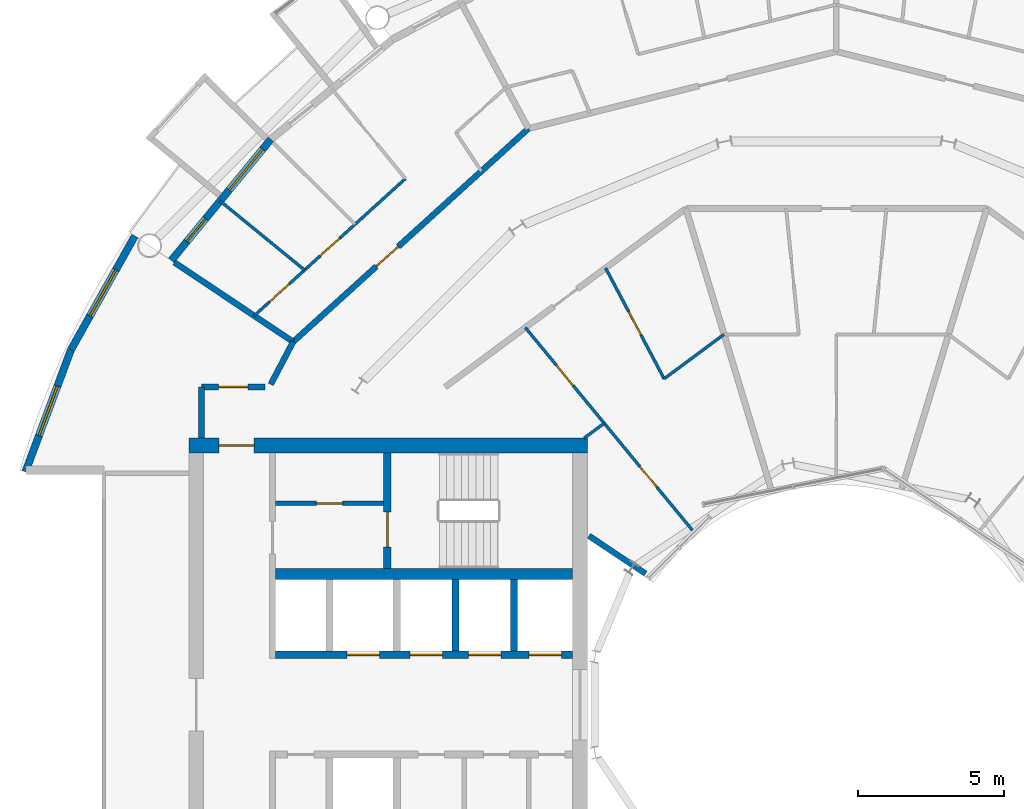
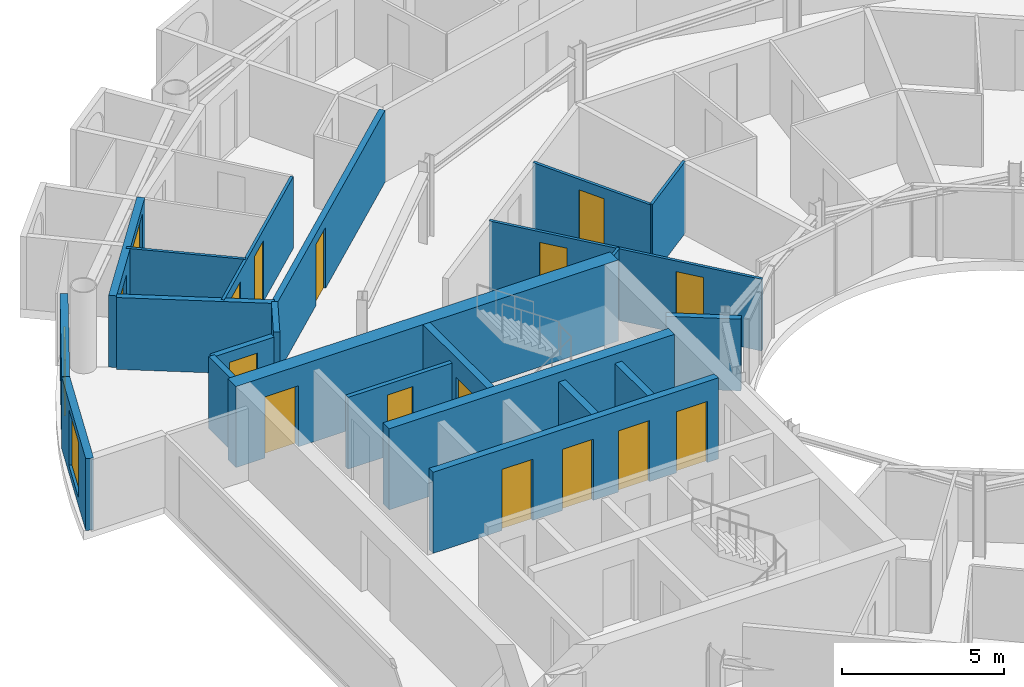
# One storey, part 19 of 27: 22 walls, 15 doors, 3 windows, 18 openings.
"""IFC4 building model written with IfcOpenShell, lengths in metres."""

from ifc_helpers import new_model, si_unit, direction, frame, frame_2d, origin, place, context, subcontext, project, spatial, rectangle, extrude, material, layer, layer_set, type_object, element, fill, save


model = new_model("IFC4")

# Units and contexts
model_context = context("Model", 3, precision=1e-05, world=origin(), true_north=direction((0.0, 1.0)))
body_context = subcontext(model_context, "Body", "Model", "MODEL_VIEW")
ifc_project = project(units=[si_unit("LENGTHUNIT", "METRE"), si_unit("AREAUNIT", "SQUARE_METRE"), si_unit("VOLUMEUNIT", "CUBIC_METRE"), si_unit("PLANEANGLEUNIT", "RADIAN"), si_unit("MASSUNIT", "GRAM", prefix="KILO")], contexts=[model_context])

# Site, building, storey
site_placement = place(None, origin())
site = spatial("IfcSite", under=ifc_project, at=site_placement, CompositionType="ELEMENT")
building_placement = place(site_placement, origin())
building = spatial("IfcBuilding", under=site, at=building_placement, Name="Maasbend Ring Residences", CompositionType="ELEMENT")
storey_placement = place(building_placement, frame((0.0, 0.0, 151.300048828125)))
storey = spatial("IfcBuildingStorey", under=building, at=storey_placement, Name="L43", CompositionType="ELEMENT", Elevation=151.300048828125)

# Wall, openings, doors
ifc_material_1 = material(Name="Concrete C60/75", Category="concrete")
ifc_layer_1 = layer(ifc_material_1, 0.25)
ifc_layer_set_1 = layer_set([ifc_layer_1], Name="Concrete C60/75")
wall_type_1 = type_object("IfcWallType", Name="CORE WALL 250 C60/75", PredefinedType="SHEAR", material=ifc_layer_set_1)
wall_1_placement = place(storey_placement, frame((-9.0, 1.699951171875, 0.0), z_axis=(0.0, 0.0, 1.0), x_axis=(-1.0, 0.0, 0.0)))
wall_1 = element("IfcWall", 1, at=wall_1_placement, inside=storey, type_object=wall_type_1, Name="L43 core W wall SPS", PredefinedType="SHEAR", context=body_context, shape_type="SweptSolid", body=[
    extrude(rectangle(XDim=10.14990234375, YDim=0.25, at=frame_2d((5.074951171875, 0.0))), origin(), (0.0, 0.0, 1.0), 3.050048828125),
])
opening_1_placement = place(wall_1_placement, frame((0.387451171875, 0.0, 0.0)))
opening_1 = element("IfcOpeningElement", 2, at=opening_1_placement, cuts=wall_1, Name="Opening LD-W4302", PredefinedType="OPENING", context=body_context, shape_type="SweptSolid", body=[
    extrude(rectangle(XDim=1.10009765625, YDim=2.300048828125, at=frame_2d((0.550048828125, 1.14990234375))), frame((0.0, 0.135009765625, 0.0), z_axis=(0.0, -1.0, 0.0), x_axis=(1.0, 0.0, 0.0)), (0.0, 0.0, 1.0), 0.27001953125),
])
opening_2_placement = place(wall_1_placement, frame((2.449951171875, 0.0, 0.0)))
opening_2 = element("IfcOpeningElement", 3, at=opening_2_placement, cuts=wall_1, Name="Opening LD-W4303", PredefinedType="OPENING", context=body_context, shape_type="SweptSolid", body=[
    extrude(rectangle(XDim=1.10009765625, YDim=2.300048828125, at=frame_2d((0.550048828125, 1.14990234375))), frame((0.0, 0.135009765625, 0.0), z_axis=(0.0, -1.0, 0.0), x_axis=(1.0, 0.0, 0.0)), (0.0, 0.0, 1.0), 0.27001953125),
])
opening_3_placement = place(wall_1_placement, frame((4.449951171875, 0.0, 0.0)))
opening_3 = element("IfcOpeningElement", 4, at=opening_3_placement, cuts=wall_1, Name="Opening LD-W4304", PredefinedType="OPENING", context=body_context, shape_type="SweptSolid", body=[
    extrude(rectangle(XDim=1.10009765625, YDim=2.300048828125, at=frame_2d((0.550048828125, 1.14990234375))), frame((0.0, 0.135009765625, 0.0), z_axis=(0.0, -1.0, 0.0), x_axis=(1.0, 0.0, 0.0)), (0.0, 0.0, 1.0), 0.27001953125),
])
opening_4_placement = place(wall_1_placement, frame((6.60009765625, 0.0, 0.0)))
opening_4 = element("IfcOpeningElement", 5, at=opening_4_placement, cuts=wall_1, Name="Opening LD-W4305", PredefinedType="OPENING", context=body_context, shape_type="SweptSolid", body=[
    extrude(rectangle(XDim=1.10009765625, YDim=2.300048828125, at=frame_2d((0.550048828125, 1.14990234375))), frame((0.0, 0.135009765625, 0.0), z_axis=(0.0, -1.0, 0.0), x_axis=(1.0, 0.0, 0.0)), (0.0, 0.0, 1.0), 0.27001953125),
])
ifc_material_2 = material(Name="Stainless steel 316", Category="steel")
door_type_1 = type_object("IfcDoorType", Name="LANDING DOOR 1100 X 2300 FD60", OperationType="DOUBLE_DOOR_SLIDING", PredefinedType="DOOR", material=ifc_material_2)
door_1_placement = place(opening_1_placement, origin())
door_1 = element("IfcDoor", 6, at=door_1_placement, inside=storey, type_object=door_type_1, Name="Landing door HR-W1 L43", OperationType="DOUBLE_DOOR_SLIDING", OverallHeight=2.300048828125, OverallWidth=1.10009765625, PredefinedType="DOOR", context=body_context, shape_type="SweptSolid", body=[
    extrude(rectangle(XDim=1.10009765625, YDim=2.300048828125, at=frame_2d((0.550048828125, 1.14990234375))), frame((0.0, 0.02490234375, 0.0), z_axis=(0.0, -1.0, 0.0), x_axis=(1.0, 0.0, 0.0)), (0.0, 0.0, 1.0), 0.050048828125),
])
fill(opening_1, door_1)
door_2_placement = place(opening_2_placement, origin())
door_2 = element("IfcDoor", 7, at=door_2_placement, inside=storey, type_object=door_type_1, Name="Landing door HR-W2 L43", OperationType="DOUBLE_DOOR_SLIDING", OverallHeight=2.300048828125, OverallWidth=1.10009765625, PredefinedType="DOOR", context=body_context, shape_type="SweptSolid", body=[
    extrude(rectangle(XDim=1.10009765625, YDim=2.300048828125, at=frame_2d((0.550048828125, 1.14990234375))), frame((0.0, 0.02490234375, 0.0), z_axis=(0.0, -1.0, 0.0), x_axis=(1.0, 0.0, 0.0)), (0.0, 0.0, 1.0), 0.050048828125),
])
fill(opening_2, door_2)
door_3_placement = place(opening_3_placement, origin())
door_3 = element("IfcDoor", 8, at=door_3_placement, inside=storey, type_object=door_type_1, Name="Landing door HR-W3 L43", OperationType="DOUBLE_DOOR_SLIDING", OverallHeight=2.300048828125, OverallWidth=1.10009765625, PredefinedType="DOOR", context=body_context, shape_type="SweptSolid", body=[
    extrude(rectangle(XDim=1.10009765625, YDim=2.300048828125, at=frame_2d((0.550048828125, 1.14990234375))), frame((0.0, 0.02490234375, 0.0), z_axis=(0.0, -1.0, 0.0), x_axis=(1.0, 0.0, 0.0)), (0.0, 0.0, 1.0), 0.050048828125),
])
fill(opening_3, door_3)
door_4_placement = place(opening_4_placement, origin())
door_4 = element("IfcDoor", 9, at=door_4_placement, inside=storey, type_object=door_type_1, Name="Landing door SV-W L43", OperationType="DOUBLE_DOOR_SLIDING", OverallHeight=2.300048828125, OverallWidth=1.10009765625, PredefinedType="DOOR", context=body_context, shape_type="SweptSolid", body=[
    extrude(rectangle(XDim=1.10009765625, YDim=2.300048828125, at=frame_2d((0.550048828125, 1.14990234375))), frame((0.0, 0.02490234375, 0.0), z_axis=(0.0, -1.0, 0.0), x_axis=(1.0, 0.0, 0.0)), (0.0, 0.0, 1.0), 0.050048828125),
])
fill(opening_4, door_4)

# Wall, opening, door
wall_2_placement = place(storey_placement, frame((-15.324951171875, 8.60009765625, 0.0), z_axis=(0.0, 0.0, 1.0), x_axis=(0.0, -1.0, 0.0)))
wall_2 = element("IfcWall", 10, at=wall_2_placement, inside=storey, type_object=wall_type_1, Name="L43 core W wall STES", PredefinedType="SHEAR", context=body_context, shape_type="SweptSolid", body=[
    extrude(rectangle(XDim=3.9501953125, YDim=0.25, at=frame_2d((1.97509765625, 0.0))), origin(), (0.0, 0.0, 1.0), 3.050048828125),
])
opening_5_placement = place(wall_2_placement, frame((2.02490234375, 0.0, 0.0)))
opening_5 = element("IfcOpeningElement", 11, at=opening_5_placement, cuts=wall_2, Name="Opening D-W4312", PredefinedType="OPENING", context=body_context, shape_type="SweptSolid", body=[
    extrude(rectangle(XDim=1.199951171875, YDim=2.300048828125, at=frame_2d((0.60009765625, 1.14990234375))), frame((0.0, 0.135009765625, 0.0), z_axis=(0.0, -1.0, 0.0), x_axis=(1.0, 0.0, 0.0)), (0.0, 0.0, 1.0), 0.27001953125),
])
ifc_material_3 = material(Name="Steel, powder coated", Category="steel")
door_type_2 = type_object("IfcDoorType", Name="STAIR DOOR 1200 X 2300 FD60", OperationType="NOTDEFINED", PredefinedType="DOOR", material=ifc_material_3)
door_5_placement = place(opening_5_placement, origin())
door_5 = element("IfcDoor", 12, at=door_5_placement, inside=storey, type_object=door_type_2, Name="Stair door ST-W L43", OperationType="SINGLE_SWING_LEFT", OverallHeight=2.300048828125, OverallWidth=1.199951171875, PredefinedType="DOOR", context=body_context, shape_type="SweptSolid", body=[
    extrude(rectangle(XDim=1.199951171875, YDim=2.300048828125, at=frame_2d((0.60009765625, 1.14990234375))), frame((0.0, 0.02490234375, 0.0), z_axis=(0.0, -1.0, 0.0), x_axis=(1.0, 0.0, 0.0)), (0.0, 0.0, 1.0), 0.050048828125),
])
fill(opening_5, door_5)

# Wall
ifc_material_4 = material(Name="Concrete C60/75", Category="concrete")
ifc_layer_2 = layer(ifc_material_4, 0.375)
ifc_layer_set_2 = layer_set([ifc_layer_2], Name="Concrete C60/75")
wall_type_2 = type_object("IfcWallType", Name="CORE WALL 375 C60/75", PredefinedType="SHEAR", material=ifc_layer_set_2)
wall_3_placement = place(storey_placement, frame((-9.0, 4.46240234375, 0.0), z_axis=(0.0, 0.0, 1.0), x_axis=(-1.0, 0.0, 0.0)))
element("IfcWall", 13, at=wall_3_placement, inside=storey, type_object=wall_type_2, Name="L43 core W wall BS", PredefinedType="SHEAR", context=body_context, shape_type="SweptSolid", body=[
    extrude(rectangle(XDim=10.14990234375, YDim=0.375, at=frame_2d((5.074951171875, 0.0))), origin(), (0.0, 0.0, 1.0), 3.050048828125),
])

# Wall, opening, door
ifc_material_5 = material(Name="Concrete C60/75", Category="concrete")
ifc_layer_3 = layer(ifc_material_5, 0.5)
ifc_layer_set_3 = layer_set([ifc_layer_3], Name="Concrete C60/75")
wall_type_3 = type_object("IfcWallType", Name="CORE WALL 500 C60/75", PredefinedType="SHEAR", material=ifc_layer_set_3)
wall_4_placement = place(storey_placement, frame((-8.5, 8.85009765625, 0.0), z_axis=(0.0, 0.0, 1.0), x_axis=(-1.0, 0.0, 0.0)))
wall_4 = element("IfcWall", 14, at=wall_4_placement, inside=storey, type_object=wall_type_3, Name="L43 core W wall PS", PredefinedType="SHEAR", context=body_context, shape_type="SweptSolid", body=[
    extrude(rectangle(XDim=13.60009765625, YDim=0.5, at=frame_2d((6.800048828125, 0.0))), origin(), (0.0, 0.0, 1.0), 3.050048828125),
])
opening_6_placement = place(wall_4_placement, frame((11.375, 0.0, 0.0)))
opening_6 = element("IfcOpeningElement", 15, at=opening_6_placement, cuts=wall_4, Name="Opening D-W4316", PredefinedType="OPENING", context=body_context, shape_type="SweptSolid", body=[
    extrude(rectangle(XDim=1.199951171875, YDim=2.300048828125, at=frame_2d((0.60009765625, 1.14990234375))), frame((0.0, 0.260009765625, 0.0), z_axis=(0.0, -1.0, 0.0), x_axis=(1.0, 0.0, 0.0)), (0.0, 0.0, 1.0), 0.52001953125),
])
ifc_material_6 = material(Name="Steel, powder coated", Category="steel")
door_type_3 = type_object("IfcDoorType", Name="CORRIDOR DOOR 1200 X 2300 FD30S", OperationType="NOTDEFINED", PredefinedType="DOOR", material=ifc_material_6)
door_6_placement = place(opening_6_placement, origin())
door_6 = element("IfcDoor", 16, at=door_6_placement, inside=storey, type_object=door_type_3, Name="Corridor door L43", OperationType="SINGLE_SWING_LEFT", OverallHeight=2.300048828125, OverallWidth=1.199951171875, PredefinedType="DOOR", context=body_context, shape_type="SweptSolid", body=[
    extrude(rectangle(XDim=1.199951171875, YDim=2.300048828125, at=frame_2d((0.60009765625, 1.14990234375))), frame((0.0, 0.02490234375, 0.0), z_axis=(0.0, -1.0, 0.0), x_axis=(1.0, 0.0, 0.0)), (0.0, 0.0, 1.0), 0.050048828125),
])
fill(opening_6, door_6)

ifc_material_7 = material(Name="Concrete C30/37", Category="concrete")
ifc_layer_4 = layer(ifc_material_7, 0.199951171875)
ifc_layer_set_4 = layer_set([ifc_layer_4], Name="Concrete C30/37")
wall_type_4 = type_object("IfcWallType", Name="CORRIDOR WALL 200 CONCRETE", PredefinedType="PARTITIONING", material=ifc_layer_set_4)
wall_5_placement = place(storey_placement, frame((-21.675048828125, 10.85009765625, 0.0), z_axis=(0.0, 0.0, 1.0), x_axis=(1.0, 0.0, 0.0)))
wall_5 = element("IfcWall", 17, at=wall_5_placement, inside=storey, type_object=wall_type_4, Name="U-L43-w091", PredefinedType="PARTITIONING", context=body_context, shape_type="SweptSolid", body=[
    extrude(rectangle(XDim=2.171142578125, YDim=0.199951171875, at=frame_2d((1.08544921875, 0.0))), origin(), (0.0, 0.0, 1.0), 2.699951171875),
])
opening_7_placement = place(wall_5_placement, frame((0.5849609375, 0.0, 0.0)))
opening_7 = element("IfcOpeningElement", 18, at=opening_7_placement, cuts=wall_5, Name="Opening D-4365", PredefinedType="OPENING", context=body_context, shape_type="SweptSolid", body=[
    extrude(rectangle(XDim=1.0, YDim=2.300048828125, at=frame_2d((0.5, 1.14990234375))), frame((0.0, 0.10986328125, 0.0), z_axis=(0.0, -1.0, 0.0), x_axis=(1.0, 0.0, 0.0)), (0.0, 0.0, 1.0), 0.219970703125),
])
ifc_material_8 = material(Name="Timber, painted", Category="wood")
door_type_4 = type_object("IfcDoorType", Name="ROOM DOOR 1000 X 2300", OperationType="NOTDEFINED", PredefinedType="DOOR", material=ifc_material_8)
door_7_placement = place(opening_7_placement, origin())
door_7 = element("IfcDoor", 19, at=door_7_placement, inside=storey, type_object=door_type_4, Name="D-4365", OperationType="SINGLE_SWING_LEFT", OverallHeight=2.300048828125, OverallWidth=1.0, PredefinedType="DOOR", context=body_context, shape_type="SweptSolid", body=[
    extrude(rectangle(XDim=1.0, YDim=2.300048828125, at=frame_2d((0.5, 1.14990234375))), frame((0.0, 0.02490234375, 0.0), z_axis=(0.0, -1.0, 0.0), x_axis=(1.0, 0.0, 0.0)), (0.0, 0.0, 1.0), 0.050048828125),
])
fill(opening_7, door_7)

wall_6_placement = place(storey_placement, frame((-18.5439453125, 12.385009765625, 0.0), z_axis=(0.0, 0.0, 1.0), x_axis=(0.740849323054, 0.67167125927, 0.0)))
wall_6 = element("IfcWall", 20, at=wall_6_placement, inside=storey, type_object=wall_type_4, Name="U-L43-w102", PredefinedType="PARTITIONING", context=body_context, shape_type="SweptSolid", body=[
    extrude(rectangle(XDim=10.841552734375, YDim=0.199951171875, at=frame_2d((5.4208984375, 0.0))), origin(), (0.0, 0.0, 1.0), 2.699951171875),
])
opening_8_placement = place(wall_6_placement, frame((3.839111328125, 0.0, 0.0)))
opening_8 = element("IfcOpeningElement", 21, at=opening_8_placement, cuts=wall_6, Name="Opening D-4316", PredefinedType="OPENING", context=body_context, shape_type="SweptSolid", body=[
    extrude(rectangle(XDim=1.0, YDim=2.300048828125, at=frame_2d((0.5, 1.14990234375))), frame((0.0, 0.10986328125, 0.0), z_axis=(0.0, -1.0, 0.0), x_axis=(1.0, 0.0, 0.0)), (0.0, 0.0, 1.0), 0.219970703125),
])
ifc_material_9 = material(Name="Timber, fire-rated, painted", Category="wood")
door_type_5 = type_object("IfcDoorType", Name="FLAT ENTRANCE DOOR 1000 X 2300 FIRE-RATED", OperationType="NOTDEFINED", PredefinedType="DOOR", material=ifc_material_9)
door_8_placement = place(opening_8_placement, origin())
door_8 = element("IfcDoor", 22, at=door_8_placement, inside=storey, type_object=door_type_5, Name="D-4316", OperationType="SINGLE_SWING_LEFT", OverallHeight=2.300048828125, OverallWidth=1.0, PredefinedType="DOOR", context=body_context, shape_type="SweptSolid", body=[
    extrude(rectangle(XDim=1.0, YDim=2.300048828125, at=frame_2d((0.5, 1.14990234375))), frame((0.0, 0.02490234375, 0.0), z_axis=(0.0, -1.0, 0.0), x_axis=(1.0, 0.0, 0.0)), (0.0, 0.0, 1.0), 0.050048828125),
])
fill(opening_8, door_8)

# Walls
wall_7_placement = place(storey_placement, frame((-21.675048828125, 9.10009765625, 0.0), z_axis=(0.0, 0.0, 1.0), x_axis=(0.0, 1.0, 0.0)))
element("IfcWall", 23, at=wall_7_placement, inside=storey, type_object=wall_type_4, Name="U-L43-w107", PredefinedType="PARTITIONING", context=body_context, shape_type="SweptSolid", body=[
    extrude(rectangle(XDim=1.75, YDim=0.199951171875, at=frame_2d((0.875, 0.0))), origin(), (0.0, 0.0, 1.0), 2.699951171875),
])
wall_8_placement = place(storey_placement, frame((-19.306884765625, 10.93505859375, 0.0), z_axis=(0.0, 0.0, 1.0), x_axis=(0.465605550524, 0.884992356646, 0.0)))
element("IfcWall", 24, at=wall_8_placement, inside=storey, type_object=wall_type_4, Name="U-L43-w108", PredefinedType="PARTITIONING", context=body_context, shape_type="SweptSolid", body=[
    extrude(rectangle(XDim=1.642822265625, YDim=0.199951171875, at=frame_2d((0.8212890625, 0.0))), origin(), (0.0, 0.0, 1.0), 2.699951171875),
])

# Wall, openings, door, window
ifc_material_10 = material(Name="Aluminium clad insulated panel", Category="aluminium")
ifc_layer_5 = layer(ifc_material_10, 0.25)
ifc_layer_set_5 = layer_set([ifc_layer_5], Name="EW-GL")
wall_type_5 = type_object("IfcWallType", Name="EW-GL", PredefinedType="SOLIDWALL", material=ifc_layer_set_5)
wall_9_placement = place(storey_placement, frame((-19.303955078125, 19.303955078125, 0.0), z_axis=(0.0, 0.0, 1.0), x_axis=(-0.634382322723, -0.773019449054, 0.0)))
wall_9 = element("IfcWall", 25, at=wall_9_placement, inside=storey, type_object=wall_type_5, Name="External wall N10", PredefinedType="SOLIDWALL", context=body_context, shape_type="SweptSolid", body=[
    extrude(rectangle(XDim=5.351806640625, YDim=0.25, at=frame_2d((2.67578125, 0.0))), origin(), (0.0, 0.0, 1.0), 2.699951171875),
])
opening_9_placement = place(wall_9_placement, frame((0.441162109375, 0.0, 0.300048828125)))
opening_9 = element("IfcOpeningElement", 26, at=opening_9_placement, cuts=wall_9, Name="Opening W-BX", PredefinedType="OPENING", context=body_context, shape_type="SweptSolid", body=[
    extrude(rectangle(XDim=1.800048828125, YDim=2.10009765625, at=frame_2d((0.89990234375, 1.050048828125))), frame((0.0, 0.135009765625, 0.0), z_axis=(0.0, -1.0, 0.0), x_axis=(1.0, 0.0, 0.0)), (0.0, 0.0, 1.0), 0.27001953125),
])
opening_10_placement = place(wall_9_placement, frame((3.510498046875, 0.0, 0.0)))
opening_10 = element("IfcOpeningElement", 27, at=opening_10_placement, cuts=wall_9, Name="Opening D-LG", PredefinedType="OPENING", context=body_context, shape_type="SweptSolid", body=[
    extrude(rectangle(XDim=1.0, YDim=2.199951171875, at=frame_2d((0.5, 1.10009765625))), frame((0.0, 0.135009765625, 0.0), z_axis=(0.0, -1.0, 0.0), x_axis=(1.0, 0.0, 0.0)), (0.0, 0.0, 1.0), 0.27001953125),
])
ifc_material_11 = material(Name="Aluminium and clear glass", Category="aluminium")
door_type_6 = type_object("IfcDoorType", Name="D-LG", OperationType="SINGLE_SWING_LEFT", PredefinedType="DOOR", material=ifc_material_11)
door_9_placement = place(opening_10_placement, origin())
door_9 = element("IfcDoor", 28, at=door_9_placement, inside=storey, type_object=door_type_6, Name="Loggia door N20", OperationType="SINGLE_SWING_LEFT", OverallHeight=2.199951171875, OverallWidth=1.0, PredefinedType="DOOR", context=body_context, shape_type="SweptSolid", body=[
    extrude(rectangle(XDim=1.0, YDim=2.199951171875, at=frame_2d((0.5, 1.10009765625))), frame((0.0, 0.02490234375, 0.0), z_axis=(0.0, -1.0, 0.0), x_axis=(1.0, 0.0, 0.0)), (0.0, 0.0, 1.0), 0.050048828125),
])
fill(opening_10, door_9)
ifc_material_12 = material(Name="Aluminium and clear glass", Category="aluminium")
window_type = type_object("IfcWindowType", Name="W-BX", PartitioningType="DOUBLE_PANEL_VERTICAL", PredefinedType="WINDOW", material=ifc_material_12)
window_1_placement = place(opening_9_placement, origin())
window_1 = element("IfcWindow", 29, at=window_1_placement, inside=storey, type_object=window_type, Name="Window N19 room to box", OverallHeight=2.10009765625, OverallWidth=1.800048828125, PartitioningType="SINGLE_PANEL", PredefinedType="WINDOW", context=body_context, shape_type="SweptSolid", body=[
    extrude(rectangle(XDim=1.800048828125, YDim=2.10009765625, at=frame_2d((0.89990234375, 1.050048828125))), frame((0.0, 0.030029296875, 0.0), z_axis=(0.0, -1.0, 0.0), x_axis=(1.0, 0.0, 0.0)), (0.0, 0.0, 1.0), 0.06005859375),
])
fill(opening_9, window_1)

# Wall, opening, window
ifc_material_13 = material(Name="Aluminium clad insulated panel", Category="aluminium")
ifc_layer_6 = layer(ifc_material_13, 0.25)
ifc_layer_set_6 = layer_set([ifc_layer_6], Name="EW-HORN")
wall_type_6 = type_object("IfcWallType", Name="EW-HORN", PredefinedType="SOLIDWALL", material=ifc_layer_set_6)
wall_10_placement = place(storey_placement, frame((-23.946044921875, 16.0, 0.0), z_axis=(0.0, 0.0, 1.0), x_axis=(-0.489696356642, -0.871893042919, 0.0)))
wall_10 = element("IfcWall", 30, at=wall_10_placement, inside=storey, type_object=wall_type_6, Name="Horn wall 4.1", PredefinedType="SOLIDWALL", context=body_context, shape_type="SweptSolid", body=[
    extrude(rectangle(XDim=4.45361328125, YDim=0.25, at=frame_2d((2.226806640625, 0.0))), origin(), (0.0, 0.0, 1.0), 2.699951171875),
])
opening_11_placement = place(wall_10_placement, frame((1.32666015625, 0.0, 0.300048828125)))
opening_11 = element("IfcOpeningElement", 31, at=opening_11_placement, cuts=wall_10, Name="Opening W-BX", PredefinedType="OPENING", context=body_context, shape_type="SweptSolid", body=[
    extrude(rectangle(XDim=1.800048828125, YDim=2.10009765625, at=frame_2d((0.89990234375, 1.050048828125))), frame((0.0, 0.135009765625, 0.0), z_axis=(0.0, -1.0, 0.0), x_axis=(1.0, 0.0, 0.0)), (0.0, 0.0, 1.0), 0.27001953125),
])
window_2_placement = place(opening_11_placement, origin())
window_2 = element("IfcWindow", 32, at=window_2_placement, inside=storey, type_object=window_type, Name="Horn window 4.1", OverallHeight=2.10009765625, OverallWidth=1.800048828125, PartitioningType="SINGLE_PANEL", PredefinedType="WINDOW", context=body_context, shape_type="SweptSolid", body=[
    extrude(rectangle(XDim=1.800048828125, YDim=2.10009765625, at=frame_2d((0.89990234375, 1.050048828125))), frame((0.0, 0.030029296875, 0.0), z_axis=(0.0, -1.0, 0.0), x_axis=(1.0, 0.0, 0.0)), (0.0, 0.0, 1.0), 0.06005859375),
])
fill(opening_11, window_2)

wall_11_placement = place(storey_placement, frame((-26.126953125, 12.116943359375, 0.0), z_axis=(0.0, 0.0, 1.0), x_axis=(-0.349247811493, -0.937030397675, 0.0)))
wall_11 = element("IfcWall", 33, at=wall_11_placement, inside=storey, type_object=wall_type_6, Name="Horn wall 4.2", PredefinedType="SOLIDWALL", context=body_context, shape_type="SweptSolid", body=[
    extrude(rectangle(XDim=4.4521484375, YDim=0.25, at=frame_2d((2.22607421875, 0.0))), origin(), (0.0, 0.0, 1.0), 2.699951171875),
])
opening_12_placement = place(wall_11_placement, frame((1.32666015625, 0.0, 0.300048828125)))
opening_12 = element("IfcOpeningElement", 34, at=opening_12_placement, cuts=wall_11, Name="Opening W-BX", PredefinedType="OPENING", context=body_context, shape_type="SweptSolid", body=[
    extrude(rectangle(XDim=1.800048828125, YDim=2.10009765625, at=frame_2d((0.89990234375, 1.050048828125))), frame((0.0, 0.135009765625, 0.0), z_axis=(0.0, -1.0, 0.0), x_axis=(1.0, 0.0, 0.0)), (0.0, 0.0, 1.0), 0.27001953125),
])
window_3_placement = place(opening_12_placement, origin())
window_3 = element("IfcWindow", 35, at=window_3_placement, inside=storey, type_object=window_type, Name="Horn window 4.2", OverallHeight=2.10009765625, OverallWidth=1.800048828125, PartitioningType="SINGLE_PANEL", PredefinedType="WINDOW", context=body_context, shape_type="SweptSolid", body=[
    extrude(rectangle(XDim=1.800048828125, YDim=2.10009765625, at=frame_2d((0.89990234375, 1.050048828125))), frame((0.0, 0.030029296875, 0.0), z_axis=(0.0, -1.0, 0.0), x_axis=(1.0, 0.0, 0.0)), (0.0, 0.0, 1.0), 0.06005859375),
])
fill(opening_12, window_3)

# Wall
ifc_material_14 = material(Name="Gypsum board on steel studs", Category="steel")
ifc_layer_7 = layer(ifc_material_14, 0.10009765625)
ifc_layer_set_7 = layer_set([ifc_layer_7], Name="PARTITION 100 GYPSUM")
wall_type_7 = type_object("IfcWallType", Name="PARTITION 100 GYPSUM", PredefinedType="PARTITIONING", material=ifc_layer_set_7)
wall_12_placement = place(storey_placement, frame((-21.0400390625, 17.198974609375, 0.0), z_axis=(0.0, 0.0, 1.0), x_axis=(0.774321581607, -0.63279229472, 0.0)))
element("IfcWall", 36, at=wall_12_placement, inside=storey, type_object=wall_type_7, Name="U-L43-w037", PredefinedType="PARTITIONING", context=body_context, shape_type="SweptSolid", body=[
    extrude(rectangle(XDim=3.731201171875, YDim=0.10009765625, at=frame_2d((1.86572265625, 0.0))), origin(), (0.0, 0.0, 1.0), 2.699951171875),
])

# Wall, openings, doors
wall_13_placement = place(storey_placement, frame((-10.615966796875, 12.875, 0.0), z_axis=(0.0, 0.0, 1.0), x_axis=(0.636045954217, -0.771651180342, 0.0)))
wall_13 = element("IfcWall", 37, at=wall_13_placement, inside=storey, type_object=wall_type_7, Name="U-L43-w046", PredefinedType="PARTITIONING", context=body_context, shape_type="SweptSolid", body=[
    extrude(rectangle(XDim=8.9677734375, YDim=0.10009765625, at=frame_2d((4.48388671875, 0.0))), origin(), (0.0, 0.0, 1.0), 2.699951171875),
])
opening_13_placement = place(wall_13_placement, frame((1.6669921875, 0.0, 0.0)))
opening_13 = element("IfcOpeningElement", 38, at=opening_13_placement, cuts=wall_13, Name="Opening D-4331", PredefinedType="OPENING", context=body_context, shape_type="SweptSolid", body=[
    extrude(rectangle(XDim=0.89990234375, YDim=2.300048828125, at=frame_2d((0.449951171875, 1.14990234375))), frame((0.0, 0.06005859375, 0.0), z_axis=(0.0, -1.0, 0.0), x_axis=(1.0, 0.0, 0.0)), (0.0, 0.0, 1.0), 0.1201171875),
])
opening_14_placement = place(wall_13_placement, frame((6.15087890625, 0.0, 0.0)))
opening_14 = element("IfcOpeningElement", 39, at=opening_14_placement, cuts=wall_13, Name="Opening D-4332", PredefinedType="OPENING", context=body_context, shape_type="SweptSolid", body=[
    extrude(rectangle(XDim=0.89990234375, YDim=2.300048828125, at=frame_2d((0.449951171875, 1.14990234375))), frame((0.0, 0.06005859375, 0.0), z_axis=(0.0, -1.0, 0.0), x_axis=(1.0, 0.0, 0.0)), (0.0, 0.0, 1.0), 0.1201171875),
])
ifc_material_15 = material(Name="Timber, painted", Category="wood")
door_type_7 = type_object("IfcDoorType", Name="INTERNAL DOOR 900 X 2300", OperationType="NOTDEFINED", PredefinedType="DOOR", material=ifc_material_15)
door_10_placement = place(opening_13_placement, origin())
door_10 = element("IfcDoor", 40, at=door_10_placement, inside=storey, type_object=door_type_7, Name="D-4331", OperationType="SINGLE_SWING_LEFT", OverallHeight=2.300048828125, OverallWidth=0.89990234375, PredefinedType="DOOR", context=body_context, shape_type="SweptSolid", body=[
    extrude(rectangle(XDim=0.89990234375, YDim=2.300048828125, at=frame_2d((0.449951171875, 1.14990234375))), frame((0.0, 0.02490234375, 0.0), z_axis=(0.0, -1.0, 0.0), x_axis=(1.0, 0.0, 0.0)), (0.0, 0.0, 1.0), 0.050048828125),
])
fill(opening_13, door_10)
door_11_placement = place(opening_14_placement, origin())
door_11 = element("IfcDoor", 41, at=door_11_placement, inside=storey, type_object=door_type_7, Name="D-4332", OperationType="SINGLE_SWING_RIGHT", OverallHeight=2.300048828125, OverallWidth=0.89990234375, PredefinedType="DOOR", context=body_context, shape_type="SweptSolid", body=[
    extrude(rectangle(XDim=0.89990234375, YDim=2.300048828125, at=frame_2d((0.449951171875, 1.14990234375))), frame((0.0, 0.02490234375, 0.0), z_axis=(0.0, -1.0, 0.0), x_axis=(1.0, 0.0, 0.0)), (0.0, 0.0, 1.0), 0.050048828125),
])
fill(opening_14, door_11)

# Wall, opening, door
wall_14_placement = place(storey_placement, frame((-7.875, 14.907958984375, 0.0), z_axis=(0.0, 0.0, 1.0), x_axis=(0.467030118529, -0.884241408432, 0.0)))
wall_14 = element("IfcWall", 42, at=wall_14_placement, inside=storey, type_object=wall_type_7, Name="U-L43-w052", PredefinedType="PARTITIONING", context=body_context, shape_type="SweptSolid", body=[
    extrude(rectangle(XDim=4.278076171875, YDim=0.10009765625, at=frame_2d((2.13916015625, 0.0))), origin(), (0.0, 0.0, 1.0), 2.699951171875),
])
opening_15_placement = place(wall_14_placement, frame((1.68896484375, 0.0, 0.0)))
opening_15 = element("IfcOpeningElement", 43, at=opening_15_placement, cuts=wall_14, Name="Opening D-4330", PredefinedType="OPENING", context=body_context, shape_type="SweptSolid", body=[
    extrude(rectangle(XDim=0.89990234375, YDim=2.300048828125, at=frame_2d((0.449951171875, 1.14990234375))), frame((0.0, 0.06005859375, 0.0), z_axis=(0.0, -1.0, 0.0), x_axis=(1.0, 0.0, 0.0)), (0.0, 0.0, 1.0), 0.1201171875),
])
door_12_placement = place(opening_15_placement, origin())
door_12 = element("IfcDoor", 44, at=door_12_placement, inside=storey, type_object=door_type_7, Name="D-4330", OperationType="SINGLE_SWING_RIGHT", OverallHeight=2.300048828125, OverallWidth=0.89990234375, PredefinedType="DOOR", context=body_context, shape_type="SweptSolid", body=[
    extrude(rectangle(XDim=0.89990234375, YDim=2.300048828125, at=frame_2d((0.449951171875, 1.14990234375))), frame((0.0, 0.02490234375, 0.0), z_axis=(0.0, -1.0, 0.0), x_axis=(1.0, 0.0, 0.0)), (0.0, 0.0, 1.0), 0.050048828125),
])
fill(opening_15, door_12)

# Walls
wall_15_placement = place(storey_placement, frame((-8.60693359375, 9.10009765625, 0.0), z_axis=(0.0, 0.0, 1.0), x_axis=(0.803199066515, 0.595710718007, 0.0)))
element("IfcWall", 45, at=wall_15_placement, inside=storey, type_object=wall_type_7, Name="U-L43-w093", PredefinedType="PARTITIONING", context=body_context, shape_type="SweptSolid", body=[
    extrude(rectangle(XDim=0.857666015625, YDim=0.10009765625, at=frame_2d((0.4287109375, 0.0))), origin(), (0.0, 0.0, 1.0), 2.699951171875),
])
wall_16_placement = place(storey_placement, frame((-5.876953125, 11.125, 0.0), z_axis=(0.0, 0.0, 1.0), x_axis=(0.803259509791, 0.595629213463, 0.0)))
element("IfcWall", 46, at=wall_16_placement, inside=storey, type_object=wall_type_7, Name="U-L43-w094", PredefinedType="PARTITIONING", context=body_context, shape_type="SweptSolid", body=[
    extrude(rectangle(XDim=2.54345703125, YDim=0.10009765625, at=frame_2d((1.271728515625, 0.0))), origin(), (0.0, 0.0, 1.0), 2.699951171875),
])

# Wall, openings, doors
wall_17_placement = place(storey_placement, frame((-19.8720703125, 13.278076171875, 0.0), z_axis=(0.0, 0.0, 1.0), x_axis=(0.740923753351, 0.671589153962, 0.0)))
wall_17 = element("IfcWall", 47, at=wall_17_placement, inside=storey, type_object=wall_type_7, Name="U-L43-w110", PredefinedType="PARTITIONING", context=body_context, shape_type="SweptSolid", body=[
    extrude(rectangle(XDim=6.968505859375, YDim=0.10009765625, at=frame_2d((3.484375, 0.0))), origin(), (0.0, 0.0, 1.0), 2.699951171875),
])
opening_16_placement = place(wall_17_placement, frame((3.033935546875, 0.0, 0.0)))
opening_16 = element("IfcOpeningElement", 48, at=opening_16_placement, cuts=wall_17, Name="Opening D-4319", PredefinedType="OPENING", context=body_context, shape_type="SweptSolid", body=[
    extrude(rectangle(XDim=0.89990234375, YDim=2.300048828125, at=frame_2d((0.449951171875, 1.14990234375))), frame((0.0, 0.06005859375, 0.0), z_axis=(0.0, -1.0, 0.0), x_axis=(1.0, 0.0, 0.0)), (0.0, 0.0, 1.0), 0.1201171875),
])
opening_17_placement = place(wall_17_placement, frame((0.7109375, 0.0, 0.0)))
opening_17 = element("IfcOpeningElement", 49, at=opening_17_placement, cuts=wall_17, Name="Opening D-4320", PredefinedType="OPENING", context=body_context, shape_type="SweptSolid", body=[
    extrude(rectangle(XDim=0.89990234375, YDim=2.300048828125, at=frame_2d((0.449951171875, 1.14990234375))), frame((0.0, 0.06005859375, 0.0), z_axis=(0.0, -1.0, 0.0), x_axis=(1.0, 0.0, 0.0)), (0.0, 0.0, 1.0), 0.1201171875),
])
door_13_placement = place(opening_16_placement, origin())
door_13 = element("IfcDoor", 50, at=door_13_placement, inside=storey, type_object=door_type_7, Name="D-4319", OperationType="SINGLE_SWING_RIGHT", OverallHeight=2.300048828125, OverallWidth=0.89990234375, PredefinedType="DOOR", context=body_context, shape_type="SweptSolid", body=[
    extrude(rectangle(XDim=0.89990234375, YDim=2.300048828125, at=frame_2d((0.449951171875, 1.14990234375))), frame((0.0, 0.02490234375, 0.0), z_axis=(0.0, -1.0, 0.0), x_axis=(1.0, 0.0, 0.0)), (0.0, 0.0, 1.0), 0.050048828125),
])
fill(opening_16, door_13)
door_14_placement = place(opening_17_placement, origin())
door_14 = element("IfcDoor", 51, at=door_14_placement, inside=storey, type_object=door_type_7, Name="D-4320", OperationType="SINGLE_SWING_LEFT", OverallHeight=2.300048828125, OverallWidth=0.89990234375, PredefinedType="DOOR", context=body_context, shape_type="SweptSolid", body=[
    extrude(rectangle(XDim=0.89990234375, YDim=2.300048828125, at=frame_2d((0.449951171875, 1.14990234375))), frame((0.0, 0.02490234375, 0.0), z_axis=(0.0, -1.0, 0.0), x_axis=(1.0, 0.0, 0.0)), (0.0, 0.0, 1.0), 0.050048828125),
])
fill(opening_17, door_14)

# Wall, opening, door
ifc_material_16 = material(Name="Gypsum board on steel studs", Category="steel")
ifc_layer_8 = layer(ifc_material_16, 0.14990234375)
ifc_layer_set_8 = layer_set([ifc_layer_8], Name="PARTITION 150 EI 60")
wall_type_8 = type_object("IfcWallType", Name="PARTITION 150 EI 60", PredefinedType="PARTITIONING", material=ifc_layer_set_8)
wall_18_placement = place(storey_placement, frame((-15.449951171875, 6.875, 0.0), z_axis=(0.0, 0.0, 1.0), x_axis=(-1.0, 0.0, 0.0)))
wall_18 = element("IfcWall", 52, at=wall_18_placement, inside=storey, type_object=wall_type_8, Name="L43 core W wall RHS", PredefinedType="PARTITIONING", context=body_context, shape_type="SweptSolid", body=[
    extrude(rectangle(XDim=3.699951171875, YDim=0.14990234375, at=frame_2d((1.85009765625, 0.0))), origin(), (0.0, 0.0, 1.0), 2.699951171875),
])
opening_18_placement = place(wall_18_placement, frame((1.39990234375, 0.0, 0.0)))
opening_18 = element("IfcOpeningElement", 53, at=opening_18_placement, cuts=wall_18, Name="Opening D-W4310", PredefinedType="OPENING", context=body_context, shape_type="SweptSolid", body=[
    extrude(rectangle(XDim=0.89990234375, YDim=2.300048828125, at=frame_2d((0.449951171875, 1.14990234375))), frame((0.0, 0.0849609375, 0.0), z_axis=(0.0, -1.0, 0.0), x_axis=(1.0, 0.0, 0.0)), (0.0, 0.0, 1.0), 0.169921875),
])
ifc_material_17 = material(Name="Steel, powder coated", Category="steel")
door_type_8 = type_object("IfcDoorType", Name="RISER DOOR 900 X 2300 FD60", OperationType="NOTDEFINED", PredefinedType="DOOR", material=ifc_material_17)
door_15_placement = place(opening_18_placement, origin())
door_15 = element("IfcDoor", 54, at=door_15_placement, inside=storey, type_object=door_type_8, Name="Riser door L43", OperationType="SINGLE_SWING_LEFT", OverallHeight=2.300048828125, OverallWidth=0.89990234375, PredefinedType="DOOR", context=body_context, shape_type="SweptSolid", body=[
    extrude(rectangle(XDim=0.89990234375, YDim=2.300048828125, at=frame_2d((0.449951171875, 1.14990234375))), frame((0.0, 0.02490234375, 0.0), z_axis=(0.0, -1.0, 0.0), x_axis=(1.0, 0.0, 0.0)), (0.0, 0.0, 1.0), 0.050048828125),
])
fill(opening_18, door_15)

# Walls
ifc_material_18 = material(Name="Concrete C30/37", Category="concrete")
ifc_layer_9 = layer(ifc_material_18, 0.199951171875)
ifc_layer_set_9 = layer_set([ifc_layer_9], Name="Concrete C30/37")
wall_type_9 = type_object("IfcWallType", Name="PARTY WALL 200 CONCRETE", PredefinedType="PARTITIONING", material=ifc_layer_set_9)
wall_19_placement = place(storey_placement, frame((-22.594970703125, 15.097900390625, 0.0), z_axis=(0.0, 0.0, 1.0), x_axis=(0.831387096605, -0.55569370664, 0.0)))
element("IfcWall", 55, at=wall_19_placement, inside=storey, type_object=wall_type_9, Name="U-L43-w035", PredefinedType="PARTITIONING", context=body_context, shape_type="SweptSolid", body=[
    extrude(rectangle(XDim=4.875, YDim=0.199951171875, at=frame_2d((2.4375, 0.0))), origin(), (0.0, 0.0, 1.0), 2.699951171875),
])
wall_20_placement = place(storey_placement, frame((-6.512939453125, 4.471923828125, 0.0), z_axis=(0.0, 0.0, 1.0), x_axis=(-0.83133816625, 0.555766905579, 0.0)))
element("IfcWall", 56, at=wall_20_placement, inside=storey, type_object=wall_type_9, Name="U-L43-w089", PredefinedType="PARTITIONING", context=body_context, shape_type="SweptSolid", body=[
    extrude(rectangle(XDim=2.322998046875, YDim=0.199951171875, at=frame_2d((1.16162109375, 0.0))), origin(), (0.0, 0.0, 1.0), 2.699951171875),
])
ifc_material_19 = material(Name="Concrete C30/37", Category="concrete")
ifc_layer_10 = layer(ifc_material_19, 0.25)
ifc_layer_set_10 = layer_set([ifc_layer_10], Name="Concrete C30/37")
wall_type_10 = type_object("IfcWallType", Name="SHAFT WALL 250 EI 120", PredefinedType="SOLIDWALL", material=ifc_layer_set_10)
for number, where, z_axis, x_axis, name in (
    (57, (-11.0, 1.824951171875, 0.0), (0.0, 0.0, 1.0), (0.0, 1.0, 0.0), "L43 core W wall D110S"),
    (58, (-13.0, 1.824951171875, 0.0), (0.0, 0.0, 1.0), (0.0, 1.0, 0.0), "L43 core W wall D130S"),
):
    element("IfcWall", number, at=place(storey_placement, frame(where, z_axis=z_axis, x_axis=x_axis)), inside=storey, type_object=wall_type_10, Name=name, PredefinedType="SOLIDWALL", context=body_context, shape_type="SweptSolid", body=[
        extrude(rectangle(XDim=2.449951171875, YDim=0.25, at=frame_2d((1.22509765625, 0.0))), origin(), (0.0, 0.0, 1.0), 2.699951171875),
    ])

save(model, "model.ifc")
